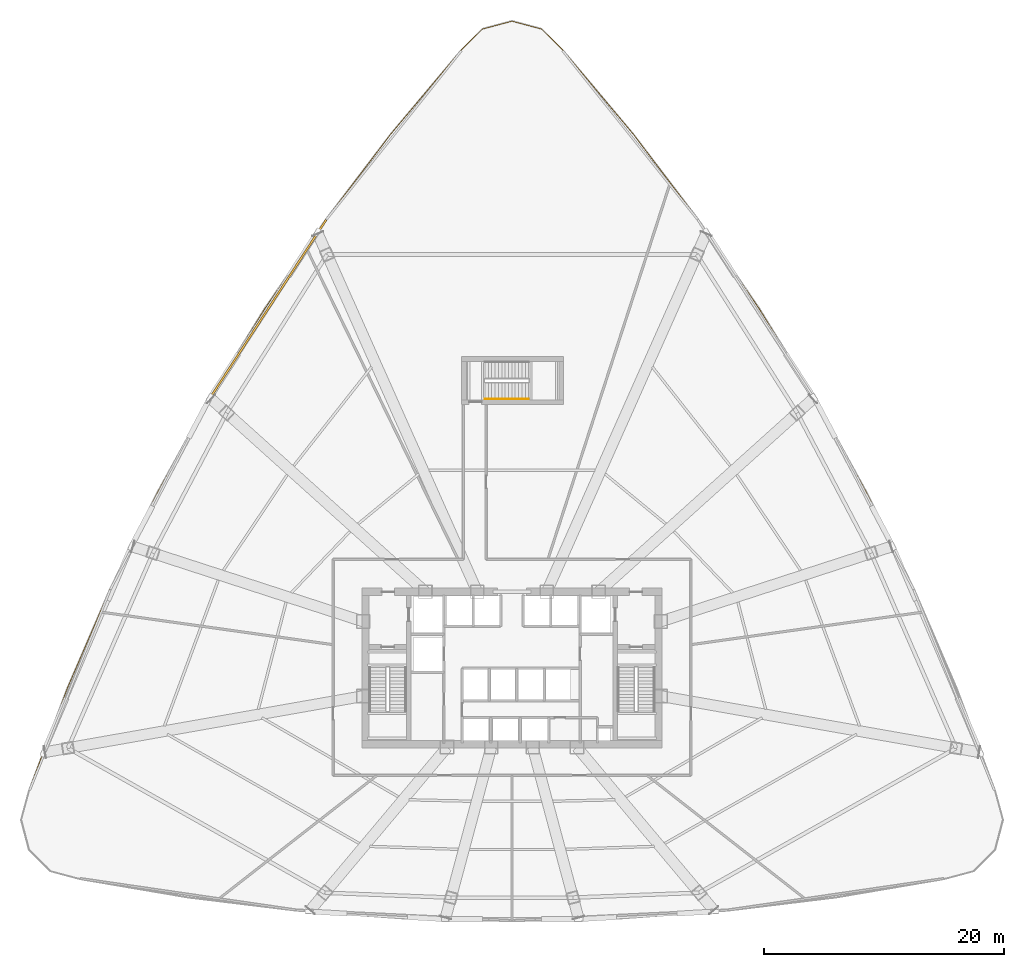
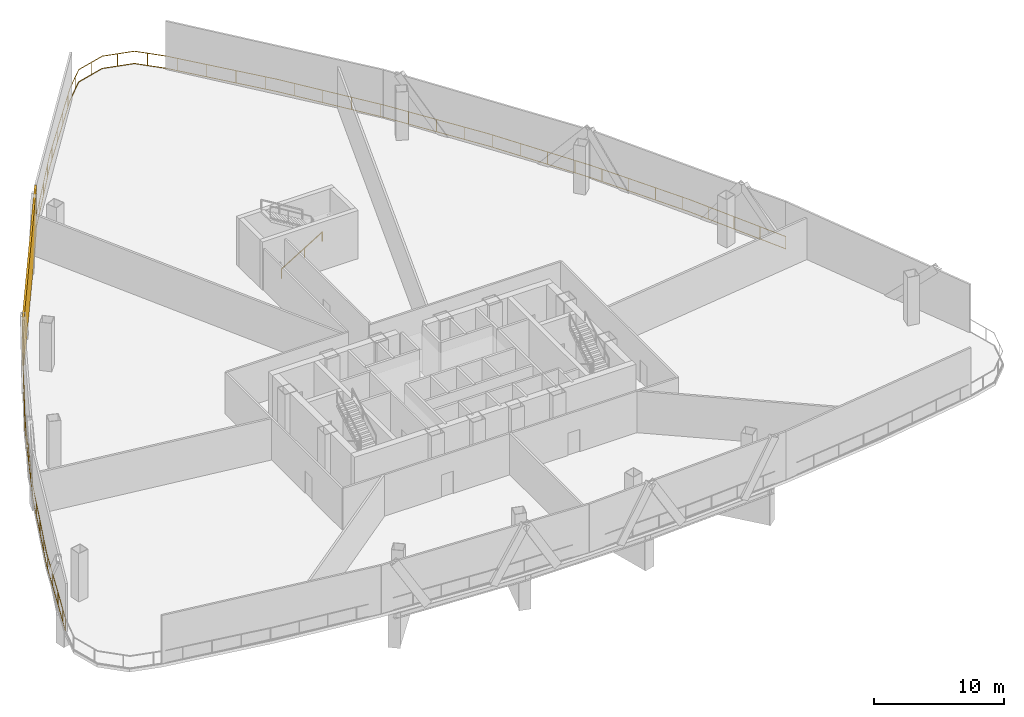
# One storey, part 13 of 15: 2 railings, 1 shading device.
"""IFC4 building model written with IfcOpenShell, lengths in metres."""

from ifc_helpers import new_model, si_unit, direction, frame, origin, origin_2d, place, context, subcontext, project, spatial, rectangle, extrude, source, transform, mapped, material, layer, layer_set, type_object, element, save


model = new_model("IFC4")

# Units and contexts
model_context = context("Model", 3, precision=1e-05, world=origin(), true_north=direction((0.0, 1.0)))
body_context = subcontext(model_context, "Body", "Model", "MODEL_VIEW")
ifc_project = project(units=[si_unit("LENGTHUNIT", "METRE"), si_unit("AREAUNIT", "SQUARE_METRE"), si_unit("VOLUMEUNIT", "CUBIC_METRE"), si_unit("PLANEANGLEUNIT", "RADIAN"), si_unit("MASSUNIT", "GRAM", prefix="KILO"), si_unit("THERMODYNAMICTEMPERATUREUNIT", "KELVIN"), si_unit("POWERUNIT", "WATT")], contexts=[model_context])

# Site, building, storey
site_placement = place(None, origin())
site = spatial("IfcSite", under=ifc_project, at=site_placement, CompositionType="ELEMENT")
building_placement = place(site_placement, origin())
building = spatial("IfcBuilding", under=site, at=building_placement, Name="Yunzhuo Pagoda Commons", CompositionType="ELEMENT")
storey_placement = place(building_placement, frame((0.0, 0.0, 125.030029296875)))
storey = spatial("IfcBuildingStorey", under=building, at=storey_placement, Name="L31", CompositionType="ELEMENT", Elevation=125.030029296875)

# Railings
ifc_material = material(Name="Anodized aluminium 6063-T6", Category="aluminium")
railing_type_1 = type_object("IfcRailingType", Name="HR-ST3 North Stair Handrail 900", PredefinedType="HANDRAIL", material=ifc_material)
railing_1_placement = place(storey_placement, frame((45.75, 56.25, 0.17138671875)))
element("IfcRailing", 1, at=railing_1_placement, inside=storey, type_object=railing_type_1, Name="L31 ST3 stair handrail 1", PredefinedType="HANDRAIL", context=body_context, shape_type="SweptSolid", body=[
    extrude(rectangle(XDim=0.048095703125, YDim=0.048095703125, at=origin_2d()), frame((0.0, 0.0, 0.8759765625), z_axis=(0.852850264322, 0.0, 0.5221555579), x_axis=(0.0, 1.0, 0.0)), (0.0, 0.0, 1.0), 4.267822265625),
    extrude(rectangle(XDim=0.0419921875, YDim=0.0419921875, at=origin_2d()), origin(), (0.0, 0.0, 1.0), 0.851806640625),
    extrude(rectangle(XDim=0.0419921875, YDim=0.0419921875, at=origin_2d()), frame((2.046875, 0.0, 1.253173828125)), (0.0, 0.0, 1.0), 0.851806640625),
    extrude(rectangle(XDim=0.0419921875, YDim=0.0419921875, at=origin_2d()), frame((3.639892578125, 0.0, 2.228515625)), (0.0, 0.0, 1.0), 0.851806640625),
])
railing_type_2 = type_object("IfcRailingType", Name="RL-PRT1 Wind Portal & Refuge Guardrail 1200", PredefinedType="GUARDRAIL", material=ifc_material)
railing_2_placement = place(storey_placement, frame((81.480712890625, 40.43310546875, 0.0)))
element("IfcRailing", 2, at=railing_2_placement, inside=storey, type_object=railing_type_2, Name="L31 refuge perimeter guardrail B", PredefinedType="GUARDRAIL", context=body_context, shape_type="SweptSolid", body=[
    extrude(rectangle(XDim=0.048095703125, YDim=0.048095703125, at=origin_2d()), frame((0.0, 0.0, 1.17578125), z_axis=(-0.440321034892, 0.897840401314, 0.0), x_axis=(-0.897840401314, -0.440321034892, 0.0)), (0.0, 0.0, 1.0), 8.928955078125),
    extrude(rectangle(XDim=0.048095703125, YDim=0.048095703125, at=origin_2d()), frame((0.0, 0.0, 0.02392578125), z_axis=(-0.440321034892, 0.897840401314, 0.0), x_axis=(-0.897840401314, -0.440321034892, 0.0)), (0.0, 0.0, 1.0), 8.928955078125),
    extrude(rectangle(XDim=0.048095703125, YDim=0.048095703125, at=origin_2d()), frame((-3.931640625, 8.016845703125, 1.17578125), z_axis=(-0.483175209654, 0.875523681448, 0.0), x_axis=(-0.875523681448, -0.483175209654, 0.0)), (0.0, 0.0, 1.0), 8.902587890625),
    extrude(rectangle(XDim=0.048095703125, YDim=0.048095703125, at=origin_2d()), frame((-3.931640625, 8.016845703125, 0.02392578125), z_axis=(-0.483175209654, 0.875523681448, 0.0), x_axis=(-0.875523681448, -0.483175209654, 0.0)), (0.0, 0.0, 1.0), 8.902587890625),
    extrude(rectangle(XDim=0.048095703125, YDim=0.048095703125, at=origin_2d()), frame((-8.233154296875, 15.811279296875, 1.17578125), z_axis=(-0.524834726541, 0.851204152843, 0.0), x_axis=(-0.851204152843, -0.524834726541, 0.0)), (0.0, 0.0, 1.0), 8.902587890625),
    extrude(rectangle(XDim=0.048095703125, YDim=0.048095703125, at=origin_2d()), frame((-8.233154296875, 15.811279296875, 0.02392578125), z_axis=(-0.524834726541, 0.851204152843, 0.0), x_axis=(-0.851204152843, -0.524834726541, 0.0)), (0.0, 0.0, 1.0), 8.902587890625),
    extrude(rectangle(XDim=0.048095703125, YDim=0.048095703125, at=origin_2d()), frame((-12.905517578125, 23.38916015625, 1.17578125), z_axis=(-0.565318964848, 0.82487239497, 0.0), x_axis=(-0.82487239497, -0.565318964848, 0.0)), (0.0, 0.0, 1.0), 8.928466796875),
    extrude(rectangle(XDim=0.048095703125, YDim=0.048095703125, at=origin_2d()), frame((-12.905517578125, 23.38916015625, 0.02392578125), z_axis=(-0.565318964848, 0.82487239497, 0.0), x_axis=(-0.82487239497, -0.565318964848, 0.0)), (0.0, 0.0, 1.0), 8.928466796875),
    extrude(rectangle(XDim=0.048095703125, YDim=0.048095703125, at=origin_2d()), frame((-17.952880859375, 30.75390625, 1.17578125), z_axis=(-0.604532890255, 0.796580180898, 0.0), x_axis=(-0.796580180898, -0.604532890255, 0.0)), (0.0, 0.0, 1.0), 8.9775390625),
    extrude(rectangle(XDim=0.048095703125, YDim=0.048095703125, at=origin_2d()), frame((-17.952880859375, 30.75390625, 0.02392578125), z_axis=(-0.604532890255, 0.796580180898, 0.0), x_axis=(-0.796580180898, -0.604532890255, 0.0)), (0.0, 0.0, 1.0), 8.9775390625),
    extrude(rectangle(XDim=0.048095703125, YDim=0.048095703125, at=origin_2d()), frame((-23.380126953125, 37.9052734375, 1.17578125), z_axis=(-0.642104151503, 0.766617413461, 0.0), x_axis=(-0.766617413461, -0.642104151503, 0.0)), (0.0, 0.0, 1.0), 9.046875),
    extrude(rectangle(XDim=0.048095703125, YDim=0.048095703125, at=origin_2d()), frame((-23.380126953125, 37.9052734375, 0.02392578125), z_axis=(-0.642104151503, 0.766617413461, 0.0), x_axis=(-0.766617413461, -0.642104151503, 0.0)), (0.0, 0.0, 1.0), 9.046875),
    extrude(rectangle(XDim=0.048095703125, YDim=0.048095703125, at=origin_2d()), frame((-29.189208984375, 44.8408203125, 1.17578125), z_axis=(-0.708819126938, 0.705390278702, 0.0), x_axis=(-0.705390278702, -0.708819126938, 0.0)), (0.0, 0.0, 1.0), 2.563232421875),
    extrude(rectangle(XDim=0.048095703125, YDim=0.048095703125, at=origin_2d()), frame((-29.189208984375, 44.8408203125, 0.02392578125), z_axis=(-0.708819126938, 0.705390278702, 0.0), x_axis=(-0.705390278702, -0.708819126938, 0.0)), (0.0, 0.0, 1.0), 2.563232421875),
    extrude(rectangle(XDim=0.048095703125, YDim=0.048095703125, at=origin_2d()), frame((-31.006103515625, 46.64892578125, 1.17578125), z_axis=(-0.96611460282, 0.258113490966, 0.0), x_axis=(-0.258113490966, -0.96611460282, 0.0)), (0.0, 0.0, 1.0), 2.5615234375),
    extrude(rectangle(XDim=0.048095703125, YDim=0.048095703125, at=origin_2d()), frame((-31.006103515625, 46.64892578125, 0.02392578125), z_axis=(-0.96611460282, 0.258113490966, 0.0), x_axis=(-0.258113490966, -0.96611460282, 0.0)), (0.0, 0.0, 1.0), 2.5615234375),
    extrude(rectangle(XDim=0.048095703125, YDim=0.048095703125, at=origin_2d()), frame((-33.480712890625, 47.31005859375, 1.17578125), z_axis=(-0.96611460282, -0.258113490966, 0.0), x_axis=(0.258113490966, -0.96611460282, 0.0)), (0.0, 0.0, 1.0), 2.5615234375),
    extrude(rectangle(XDim=0.048095703125, YDim=0.048095703125, at=origin_2d()), frame((-33.480712890625, 47.31005859375, 0.02392578125), z_axis=(-0.96611460282, -0.258113490966, 0.0), x_axis=(0.258113490966, -0.96611460282, 0.0)), (0.0, 0.0, 1.0), 2.5615234375),
    extrude(rectangle(XDim=0.048095703125, YDim=0.048095703125, at=origin_2d()), frame((-35.955322265625, 46.64892578125, 1.17578125), z_axis=(-0.708819126938, -0.705390278702, 0.0), x_axis=(0.705390278702, -0.708819126938, 0.0)), (0.0, 0.0, 1.0), 2.563232421875),
    extrude(rectangle(XDim=0.048095703125, YDim=0.048095703125, at=origin_2d()), frame((-35.955322265625, 46.64892578125, 0.02392578125), z_axis=(-0.708819126938, -0.705390278702, 0.0), x_axis=(0.705390278702, -0.708819126938, 0.0)), (0.0, 0.0, 1.0), 2.563232421875),
    extrude(rectangle(XDim=0.048095703125, YDim=0.048095703125, at=origin_2d()), frame((-37.772216796875, 44.8408203125, 1.17578125), z_axis=(-0.642104151503, -0.766617413461, 0.0), x_axis=(0.766617413461, -0.642104151503, 0.0)), (0.0, 0.0, 1.0), 9.046875),
    extrude(rectangle(XDim=0.048095703125, YDim=0.048095703125, at=origin_2d()), frame((-37.772216796875, 44.8408203125, 0.02392578125), z_axis=(-0.642104151503, -0.766617413461, 0.0), x_axis=(0.766617413461, -0.642104151503, 0.0)), (0.0, 0.0, 1.0), 9.046875),
    extrude(rectangle(XDim=0.048095703125, YDim=0.048095703125, at=origin_2d()), frame((-43.581298828125, 37.9052734375, 1.17578125), z_axis=(-0.604532890255, -0.796580180898, 0.0), x_axis=(0.796580180898, -0.604532890255, 0.0)), (0.0, 0.0, 1.0), 8.9775390625),
    extrude(rectangle(XDim=0.048095703125, YDim=0.048095703125, at=origin_2d()), frame((-43.581298828125, 37.9052734375, 0.02392578125), z_axis=(-0.604532890255, -0.796580180898, 0.0), x_axis=(0.796580180898, -0.604532890255, 0.0)), (0.0, 0.0, 1.0), 8.9775390625),
    extrude(rectangle(XDim=0.048095703125, YDim=0.048095703125, at=origin_2d()), frame((-49.008544921875, 30.75390625, 1.17578125), z_axis=(-0.565318964848, -0.82487239497, 0.0), x_axis=(0.82487239497, -0.565318964848, 0.0)), (0.0, 0.0, 1.0), 8.928466796875),
    extrude(rectangle(XDim=0.048095703125, YDim=0.048095703125, at=origin_2d()), frame((-49.008544921875, 30.75390625, 0.02392578125), z_axis=(-0.565318964848, -0.82487239497, 0.0), x_axis=(0.82487239497, -0.565318964848, 0.0)), (0.0, 0.0, 1.0), 8.928466796875),
    extrude(rectangle(XDim=0.048095703125, YDim=0.048095703125, at=origin_2d()), frame((-54.055908203125, 23.38916015625, 1.17578125), z_axis=(-0.524834726541, -0.851204152843, 0.0), x_axis=(0.851204152843, -0.524834726541, 0.0)), (0.0, 0.0, 1.0), 8.902587890625),
    extrude(rectangle(XDim=0.048095703125, YDim=0.048095703125, at=origin_2d()), frame((-54.055908203125, 23.38916015625, 0.02392578125), z_axis=(-0.524834726541, -0.851204152843, 0.0), x_axis=(0.851204152843, -0.524834726541, 0.0)), (0.0, 0.0, 1.0), 8.902587890625),
    extrude(rectangle(XDim=0.048095703125, YDim=0.048095703125, at=origin_2d()), frame((-58.728271484375, 15.811279296875, 1.17578125), z_axis=(-0.483175209654, -0.875523681448, 0.0), x_axis=(0.875523681448, -0.483175209654, 0.0)), (0.0, 0.0, 1.0), 8.902587890625),
    extrude(rectangle(XDim=0.048095703125, YDim=0.048095703125, at=origin_2d()), frame((-58.728271484375, 15.811279296875, 0.02392578125), z_axis=(-0.483175209654, -0.875523681448, 0.0), x_axis=(0.875523681448, -0.483175209654, 0.0)), (0.0, 0.0, 1.0), 8.902587890625),
    extrude(rectangle(XDim=0.048095703125, YDim=0.048095703125, at=origin_2d()), frame((-63.02978515625, 8.016845703125, 1.17578125), z_axis=(-0.440321034892, -0.897840401314, 0.0), x_axis=(0.897840401314, -0.440321034892, 0.0)), (0.0, 0.0, 1.0), 8.928955078125),
    extrude(rectangle(XDim=0.048095703125, YDim=0.048095703125, at=origin_2d()), frame((-63.02978515625, 8.016845703125, 0.02392578125), z_axis=(-0.440321034892, -0.897840401314, 0.0), x_axis=(0.897840401314, -0.440321034892, 0.0)), (0.0, 0.0, 1.0), 8.928955078125),
    extrude(rectangle(XDim=0.048095703125, YDim=0.048095703125, at=origin_2d()), frame((-66.96142578125, 0.0, 1.17578125), z_axis=(-0.396376111068, -0.918088219386, 0.0), x_axis=(0.918088219386, -0.396376111068, 0.0)), (0.0, 0.0, 1.0), 8.977783203125),
    extrude(rectangle(XDim=0.048095703125, YDim=0.048095703125, at=origin_2d()), frame((-66.96142578125, 0.0, 0.02392578125), z_axis=(-0.396376111068, -0.918088219386, 0.0), x_axis=(0.918088219386, -0.396376111068, 0.0)), (0.0, 0.0, 1.0), 8.977783203125),
    extrude(rectangle(XDim=0.048095703125, YDim=0.048095703125, at=origin_2d()), frame((-70.52001953125, -8.242431640625, 1.17578125), z_axis=(-0.351818548456, -0.936068218114, 0.0), x_axis=(0.936068218114, -0.351818548456, 0.0)), (0.0, 0.0, 1.0), 8.967041015625),
    extrude(rectangle(XDim=0.048095703125, YDim=0.048095703125, at=origin_2d()), frame((-70.52001953125, -8.242431640625, 0.02392578125), z_axis=(-0.351818548456, -0.936068218114, 0.0), x_axis=(0.936068218114, -0.351818548456, 0.0)), (0.0, 0.0, 1.0), 8.967041015625),
    extrude(rectangle(XDim=0.0419921875, YDim=0.0419921875, at=origin_2d()), origin(), (0.0, 0.0, 1.0), 1.15185546875),
    extrude(rectangle(XDim=0.0419921875, YDim=0.0419921875, at=origin_2d()), frame((-1.056884765625, 2.15478515625, 0.0)), (0.0, 0.0, 1.0), 1.15185546875),
    extrude(rectangle(XDim=0.0419921875, YDim=0.0419921875, at=origin_2d()), frame((-2.113525390625, 4.3095703125, 0.0)), (0.0, 0.0, 1.0), 1.15185546875),
    extrude(rectangle(XDim=0.0419921875, YDim=0.0419921875, at=origin_2d()), frame((-3.17041015625, 6.46435546875, 0.0)), (0.0, 0.0, 1.0), 1.15185546875),
    extrude(rectangle(XDim=0.0419921875, YDim=0.0419921875, at=origin_2d()), frame((-4.255859375, 8.604248046875, 0.0)), (0.0, 0.0, 1.0), 1.15185546875),
    extrude(rectangle(XDim=0.0419921875, YDim=0.0419921875, at=origin_2d()), frame((-5.41552734375, 10.70556640625, 0.0)), (0.0, 0.0, 1.0), 1.15185546875),
    extrude(rectangle(XDim=0.0419921875, YDim=0.0419921875, at=origin_2d()), frame((-6.5751953125, 12.806884765625, 0.0)), (0.0, 0.0, 1.0), 1.15185546875),
    extrude(rectangle(XDim=0.0419921875, YDim=0.0419921875, at=origin_2d()), frame((-7.734619140625, 14.907958984375, 0.0)), (0.0, 0.0, 1.0), 1.15185546875),
    extrude(rectangle(XDim=0.0419921875, YDim=0.0419921875, at=origin_2d()), frame((-8.951416015625, 16.97607421875, 0.0)), (0.0, 0.0, 1.0), 1.15185546875),
    extrude(rectangle(XDim=0.0419921875, YDim=0.0419921875, at=origin_2d()), frame((-10.2109375, 19.01904296875, 0.0)), (0.0, 0.0, 1.0), 1.15185546875),
    extrude(rectangle(XDim=0.0419921875, YDim=0.0419921875, at=origin_2d()), frame((-11.470458984375, 21.061767578125, 0.0)), (0.0, 0.0, 1.0), 1.15185546875),
    extrude(rectangle(XDim=0.0419921875, YDim=0.0419921875, at=origin_2d()), frame((-12.730224609375, 23.104736328125, 0.0)), (0.0, 0.0, 1.0), 1.15185546875),
    extrude(rectangle(XDim=0.0419921875, YDim=0.0419921875, at=origin_2d()), frame((-14.073486328125, 25.09326171875, 0.0)), (0.0, 0.0, 1.0), 1.15185546875),
    extrude(rectangle(XDim=0.0419921875, YDim=0.0419921875, at=origin_2d()), frame((-15.43017578125, 27.072998046875, 0.0)), (0.0, 0.0, 1.0), 1.15185546875),
    extrude(rectangle(XDim=0.0419921875, YDim=0.0419921875, at=origin_2d()), frame((-16.786865234375, 29.052490234375, 0.0)), (0.0, 0.0, 1.0), 1.15185546875),
    extrude(rectangle(XDim=0.0419921875, YDim=0.0419921875, at=origin_2d()), frame((-18.156982421875, 31.022705078125, 0.0)), (0.0, 0.0, 1.0), 1.15185546875),
    extrude(rectangle(XDim=0.0419921875, YDim=0.0419921875, at=origin_2d()), frame((-19.607666015625, 32.9345703125, 0.0)), (0.0, 0.0, 1.0), 1.15185546875),
    extrude(rectangle(XDim=0.0419921875, YDim=0.0419921875, at=origin_2d()), frame((-21.05859375, 34.846435546875, 0.0)), (0.0, 0.0, 1.0), 1.15185546875),
    extrude(rectangle(XDim=0.0419921875, YDim=0.0419921875, at=origin_2d()), frame((-22.509521484375, 36.758056640625, 0.0)), (0.0, 0.0, 1.0), 1.15185546875),
    extrude(rectangle(XDim=0.0419921875, YDim=0.0419921875, at=origin_2d()), frame((-23.99658203125, 38.64111328125, 0.0)), (0.0, 0.0, 1.0), 1.15185546875),
    extrude(rectangle(XDim=0.0419921875, YDim=0.0419921875, at=origin_2d()), frame((-25.53759765625, 40.48095703125, 0.0)), (0.0, 0.0, 1.0), 1.15185546875),
    extrude(rectangle(XDim=0.0419921875, YDim=0.0419921875, at=origin_2d()), frame((-27.07861328125, 42.32080078125, 0.0)), (0.0, 0.0, 1.0), 1.15185546875),
    extrude(rectangle(XDim=0.0419921875, YDim=0.0419921875, at=origin_2d()), frame((-28.61962890625, 44.160888671875, 0.0)), (0.0, 0.0, 1.0), 1.15185546875),
    extrude(rectangle(XDim=0.0419921875, YDim=0.0419921875, at=origin_2d()), frame((-30.26171875, 45.907958984375, 0.0)), (0.0, 0.0, 1.0), 1.15185546875),
    extrude(rectangle(XDim=0.0419921875, YDim=0.0419921875, at=origin_2d()), frame((-32.31005859375, 46.997314453125, 0.0)), (0.0, 0.0, 1.0), 1.15185546875),
    extrude(rectangle(XDim=0.0419921875, YDim=0.0419921875, at=origin_2d()), frame((-34.628662109375, 47.00341796875, 0.0)), (0.0, 0.0, 1.0), 1.15185546875),
    extrude(rectangle(XDim=0.0419921875, YDim=0.0419921875, at=origin_2d()), frame((-36.68310546875, 45.924560546875, 0.0)), (0.0, 0.0, 1.0), 1.15185546875),
    extrude(rectangle(XDim=0.0419921875, YDim=0.0419921875, at=origin_2d()), frame((-38.32666015625, 44.1787109375, 0.0)), (0.0, 0.0, 1.0), 1.15185546875),
    extrude(rectangle(XDim=0.0419921875, YDim=0.0419921875, at=origin_2d()), frame((-39.86767578125, 42.3388671875, 0.0)), (0.0, 0.0, 1.0), 1.15185546875),
    extrude(rectangle(XDim=0.0419921875, YDim=0.0419921875, at=origin_2d()), frame((-41.408935546875, 40.4990234375, 0.0)), (0.0, 0.0, 1.0), 1.15185546875),
    extrude(rectangle(XDim=0.0419921875, YDim=0.0419921875, at=origin_2d()), frame((-42.949951171875, 38.6591796875, 0.0)), (0.0, 0.0, 1.0), 1.15185546875),
    extrude(rectangle(XDim=0.0419921875, YDim=0.0419921875, at=origin_2d()), frame((-44.437744140625, 36.77685546875, 0.0)), (0.0, 0.0, 1.0), 1.15185546875),
    extrude(rectangle(XDim=0.0419921875, YDim=0.0419921875, at=origin_2d()), frame((-45.888671875, 34.864990234375, 0.0)), (0.0, 0.0, 1.0), 1.15185546875),
    extrude(rectangle(XDim=0.0419921875, YDim=0.0419921875, at=origin_2d()), frame((-47.33935546875, 32.953125, 0.0)), (0.0, 0.0, 1.0), 1.15185546875),
    extrude(rectangle(XDim=0.0419921875, YDim=0.0419921875, at=origin_2d()), frame((-48.790283203125, 31.04150390625, 0.0)), (0.0, 0.0, 1.0), 1.15185546875),
    extrude(rectangle(XDim=0.0419921875, YDim=0.0419921875, at=origin_2d()), frame((-50.161376953125, 29.072021484375, 0.0)), (0.0, 0.0, 1.0), 1.15185546875),
    extrude(rectangle(XDim=0.0419921875, YDim=0.0419921875, at=origin_2d()), frame((-51.51806640625, 27.09228515625, 0.0)), (0.0, 0.0, 1.0), 1.15185546875),
    extrude(rectangle(XDim=0.0419921875, YDim=0.0419921875, at=origin_2d()), frame((-52.874755859375, 25.112548828125, 0.0)), (0.0, 0.0, 1.0), 1.15185546875),
    extrude(rectangle(XDim=0.0419921875, YDim=0.0419921875, at=origin_2d()), frame((-54.218994140625, 23.124755859375, 0.0)), (0.0, 0.0, 1.0), 1.15185546875),
    extrude(rectangle(XDim=0.0419921875, YDim=0.0419921875, at=origin_2d()), frame((-55.478515625, 21.081787109375, 0.0)), (0.0, 0.0, 1.0), 1.15185546875),
    extrude(rectangle(XDim=0.0419921875, YDim=0.0419921875, at=origin_2d()), frame((-56.73828125, 19.038818359375, 0.0)), (0.0, 0.0, 1.0), 1.15185546875),
    extrude(rectangle(XDim=0.0419921875, YDim=0.0419921875, at=origin_2d()), frame((-57.997802734375, 16.99609375, 0.0)), (0.0, 0.0, 1.0), 1.15185546875),
    extrude(rectangle(XDim=0.0419921875, YDim=0.0419921875, at=origin_2d()), frame((-59.21533203125, 14.9287109375, 0.0)), (0.0, 0.0, 1.0), 1.15185546875),
    extrude(rectangle(XDim=0.0419921875, YDim=0.0419921875, at=origin_2d()), frame((-60.375, 12.827392578125, 0.0)), (0.0, 0.0, 1.0), 1.15185546875),
    extrude(rectangle(XDim=0.0419921875, YDim=0.0419921875, at=origin_2d()), frame((-61.53466796875, 10.72607421875, 0.0)), (0.0, 0.0, 1.0), 1.15185546875),
    extrude(rectangle(XDim=0.0419921875, YDim=0.0419921875, at=origin_2d()), frame((-62.6943359375, 8.624755859375, 0.0)), (0.0, 0.0, 1.0), 1.15185546875),
    extrude(rectangle(XDim=0.0419921875, YDim=0.0419921875, at=origin_2d()), frame((-63.78076171875, 6.485595703125, 0.0)), (0.0, 0.0, 1.0), 1.15185546875),
    extrude(rectangle(XDim=0.0419921875, YDim=0.0419921875, at=origin_2d()), frame((-64.837646484375, 4.33056640625, 0.0)), (0.0, 0.0, 1.0), 1.15185546875),
    extrude(rectangle(XDim=0.0419921875, YDim=0.0419921875, at=origin_2d()), frame((-65.894287109375, 2.17578125, 0.0)), (0.0, 0.0, 1.0), 1.15185546875),
    extrude(rectangle(XDim=0.0419921875, YDim=0.0419921875, at=origin_2d()), frame((-67.9033203125, -2.181884765625, 0.0)), (0.0, 0.0, 1.0), 1.15185546875),
    extrude(rectangle(XDim=0.0419921875, YDim=0.0419921875, at=origin_2d()), frame((-68.854736328125, -4.38525390625, 0.0)), (0.0, 0.0, 1.0), 1.15185546875),
    extrude(rectangle(XDim=0.0419921875, YDim=0.0419921875, at=origin_2d()), frame((-69.80615234375, -6.588623046875, 0.0)), (0.0, 0.0, 1.0), 1.15185546875),
    extrude(rectangle(XDim=0.0419921875, YDim=0.0419921875, at=origin_2d()), frame((-70.730712890625, -8.802978515625, 0.0)), (0.0, 0.0, 1.0), 1.15185546875),
    extrude(rectangle(XDim=0.0419921875, YDim=0.0419921875, at=origin_2d()), frame((-71.574951171875, -11.049560546875, 0.0)), (0.0, 0.0, 1.0), 1.15185546875),
    extrude(rectangle(XDim=0.0419921875, YDim=0.0419921875, at=origin_2d()), frame((-72.41943359375, -13.2958984375, 0.0)), (0.0, 0.0, 1.0), 1.15185546875),
    extrude(rectangle(XDim=0.0419921875, YDim=0.0419921875, at=origin_2d()), frame((-73.263671875, -15.54248046875, 0.0)), (0.0, 0.0, 1.0), 1.15185546875),
    extrude(rectangle(XDim=0.0419921875, YDim=0.0419921875, at=origin_2d()), frame((-73.6748046875, -16.63623046875, 0.0)), (0.0, 0.0, 1.0), 1.15185546875),
])

# Shading device
ifc_layer = layer(ifc_material, 0.159912109375)
ifc_layer_set = layer_set([ifc_layer], Name="Anodized aluminium 6063-T6")
shading_device_type = type_object("IfcShadingDeviceType", Name="SH-SCR1 Stormproof Refuge Louvre Screen", PredefinedType="JALOUSIE", material=ifc_layer_set)
shared_shape = source(origin(), body_context, "Body", "SweptSolid", [
    extrude(rectangle(XDim=17.840087890625, YDim=0.159912109375, at=origin_2d()), origin(), (0.0, 0.0, 1.0), 4.5400390625),
])
shading_device_placement = place(storey_placement, frame((27.646240234375, 63.71923828125, 0.0), z_axis=(0.0, 0.0, 1.0), x_axis=(-0.545838756973, -0.837890238269, 0.0)))
element("IfcShadingDevice", 3, at=shading_device_placement, inside=storey, type_object=shading_device_type, Name="L31 stormproof refuge louvre screen F3.2", PredefinedType="JALOUSIE", context=body_context, shape_type="MappedRepresentation", body=[
    mapped(shared_shape, transform((0.0, 0.0, 0.0), scale=1.0)),
])

save(model, "model.ifc")
